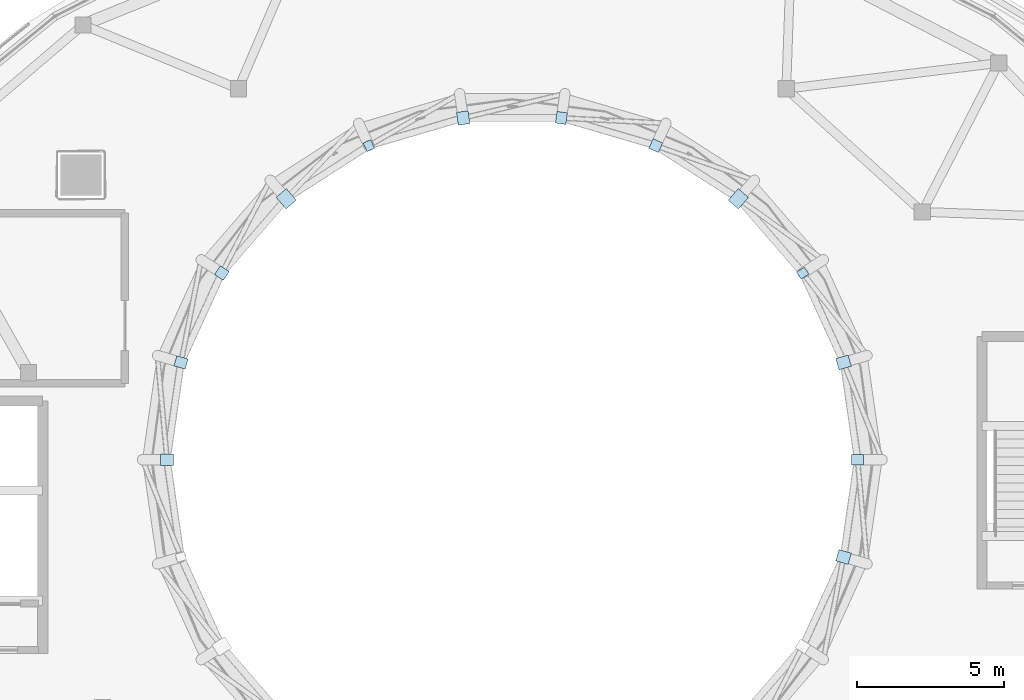
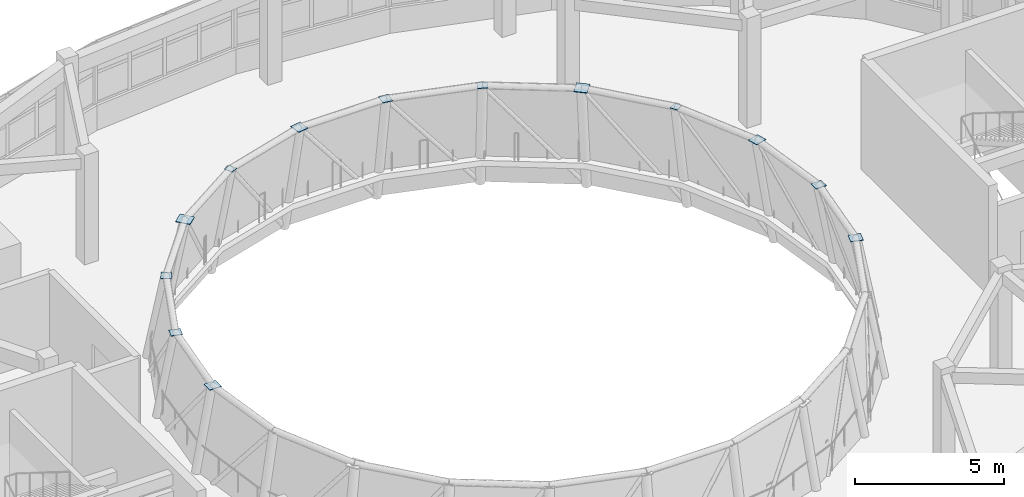
# One storey, part 33 of 46: 13 plates.
"""IFC4 building model written with IfcOpenShell, lengths in metres."""

from ifc_helpers import new_model, si_unit, direction, frame, origin, origin_2d, place, context, subcontext, project, spatial, rectangle, extrude, material, layer, layer_set, type_object, element, save


model = new_model("IFC4")

# Units and contexts
model_context = context("Model", 3, precision=1e-05, world=origin(), true_north=direction((0.0, 1.0)))
body_context = subcontext(model_context, "Body", "Model", "MODEL_VIEW")
ifc_project = project(units=[si_unit("LENGTHUNIT", "METRE"), si_unit("AREAUNIT", "SQUARE_METRE"), si_unit("VOLUMEUNIT", "CUBIC_METRE"), si_unit("PLANEANGLEUNIT", "RADIAN"), si_unit("MASSUNIT", "GRAM", prefix="KILO")], contexts=[model_context])

# Site, building, storey
site_placement = place(None, origin())
site = spatial("IfcSite", under=ifc_project, at=site_placement, CompositionType="ELEMENT")
building_placement = place(site_placement, origin())
building = spatial("IfcBuilding", under=site, at=building_placement, Name="Pelvatis Terrace Science Centre", CompositionType="ELEMENT")
storey_placement = place(building_placement, frame((0.0, 0.0, 19.800048828125)))
storey = spatial("IfcBuildingStorey", under=building, at=storey_placement, Name="L04", CompositionType="ELEMENT", Elevation=19.800048828125)

# Plates
ifc_material_1 = material(Name="Structural steel S355", Category="steel")
ifc_layer_1 = layer(ifc_material_1, 0.01611328125)
ifc_layer_set_1 = layer_set([ifc_layer_1], Name="Structural steel S355")
plate_type_1 = type_object("IfcPlateType", Name="PLT-GUS-320x280x16", PredefinedType="USERDEFINED", material=ifc_layer_set_1)
for number, where, z_axis, x_axis, name in (
    (1, (119.095703125, 92.15966796875, 3.307373046875), (0.0, 0.0, 1.0), (0.841227797435, 0.540680860418, 0.0), "Dome node gusset plate 2.03"),
    (2, (104.3134765625, 96.5, 3.307373046875), (0.0, 0.0, 1.0), (-0.415487175664, 0.909599036311, 0.0), "Dome node gusset plate 2.08"),
):
    element("IfcPlate", number, at=place(storey_placement, frame(where, z_axis=z_axis, x_axis=x_axis)), inside=storey, type_object=plate_type_1, Name=name, ObjectType="GUSSET", PredefinedType="USERDEFINED", context=body_context, shape_type="SweptSolid", body=[
        extrude(rectangle(XDim=0.320068359375, YDim=0.280029296875, at=origin_2d()), origin(), (0.0, 0.0, 1.0), 0.01611328125),
    ])
ifc_material_2 = material(Name="Structural steel S355", Category="steel")
ifc_layer_2 = layer(ifc_material_2, 0.02001953125)
ifc_layer_set_2 = layer_set([ifc_layer_2], Name="Structural steel S355")
plate_type_2 = type_object("IfcPlateType", Name="PLT-GUS-360x360x20", PredefinedType="USERDEFINED", material=ifc_layer_set_2)
for number, where, z_axis, x_axis, name in (
    (3, (114.086669921875, 96.5, 3.305419921875), (0.0, 0.0, 1.0), (0.415487175664, 0.909599036311, 0.0), "Dome node gusset plate 2.05"),
    (4, (99.30419921875, 92.15966796875, 3.305419921875), (0.0, 0.0, 1.0), (-0.841227797435, 0.540680860418, 0.0), "Dome node gusset plate 2.10"),
):
    element("IfcPlate", number, at=place(storey_placement, frame(where, z_axis=z_axis, x_axis=x_axis)), inside=storey, type_object=plate_type_2, Name=name, ObjectType="GUSSET", PredefinedType="USERDEFINED", context=body_context, shape_type="SweptSolid", body=[
        extrude(rectangle(XDim=0.360107421875, YDim=0.360107421875, at=origin_2d()), origin(), (0.0, 0.0, 1.0), 0.02001953125),
    ])
ifc_material_3 = material(Name="Structural steel S355", Category="steel")
ifc_layer_3 = layer(ifc_material_3, 0.02197265625)
ifc_layer_set_3 = layer_set([ifc_layer_3], Name="Structural steel S355")
plate_type_3 = type_object("IfcPlateType", Name="PLT-GUS-400x360x22", PredefinedType="USERDEFINED", material=ifc_layer_set_3)
for number, where, z_axis, x_axis, name in (
    (5, (120.963134765625, 85.800048828125, 3.304443359375), (0.0, 0.0, 1.0), (1.0, 0.0, 0.0), "Dome node gusset plate 2.01"),
    (6, (110.8740234375, 97.443359375, 3.304443359375), (0.0, 0.0, 1.0), (0.142283427941, 0.989825957496, 0.0), "Dome node gusset plate 2.06"),
    (7, (97.913330078125, 89.114013671875, 3.304443359375), (0.0, 0.0, 1.0), (-0.959510852267, 0.281671660596, 0.0), "Dome node gusset plate 2.11"),
):
    element("IfcPlate", number, at=place(storey_placement, frame(where, z_axis=z_axis, x_axis=x_axis)), inside=storey, type_object=plate_type_3, Name=name, ObjectType="GUSSET", PredefinedType="USERDEFINED", context=body_context, shape_type="SweptSolid", body=[
        extrude(rectangle(XDim=0.39990234375, YDim=0.360107421875, at=origin_2d()), origin(), (0.0, 0.0, 1.0), 0.02197265625),
    ])
ifc_material_4 = material(Name="Structural steel S355", Category="steel")
ifc_layer_4 = layer(ifc_material_4, 0.02392578125)
ifc_layer_set_4 = layer_set([ifc_layer_4], Name="Structural steel S355")
plate_type_4 = type_object("IfcPlateType", Name="PLT-GUS-440x400x24", PredefinedType="USERDEFINED", material=ifc_layer_set_4)
for number, where, z_axis, x_axis, name in (
    (8, (120.486572265625, 89.114013671875, 3.303466796875), (0.0, 0.0, 1.0), (0.959510852267, 0.281671660596, 0.0), "Dome node gusset plate 2.02"),
    (9, (107.52587890625, 97.443359375, 3.303466796875), (0.0, 0.0, 1.0), (-0.142283427941, 0.989825957496, 0.0), "Dome node gusset plate 2.07"),
    (10, (97.43701171875, 85.800048828125, 3.303466796875), (0.0, 0.0, 1.0), (-1.0, 0.0, 0.0), "Dome node gusset plate 2.12"),
    (11, (120.486572265625, 82.48583984375, 3.303466796875), (0.0, 0.0, 1.0), (0.959510852267, -0.281671660596, 0.0), "Dome node gusset plate 2.22"),
):
    element("IfcPlate", number, at=place(storey_placement, frame(where, z_axis=z_axis, x_axis=x_axis)), inside=storey, type_object=plate_type_4, Name=name, ObjectType="GUSSET", PredefinedType="USERDEFINED", context=body_context, shape_type="SweptSolid", body=[
        extrude(rectangle(XDim=0.43994140625, YDim=0.39990234375, at=origin_2d()), origin(), (0.0, 0.0, 1.0), 0.02392578125),
    ])
ifc_material_5 = material(Name="Structural steel S355", Category="steel")
ifc_layer_5 = layer(ifc_material_5, 0.028076171875)
ifc_layer_set_5 = layer_set([ifc_layer_5], Name="Structural steel S355")
plate_type_5 = type_object("IfcPlateType", Name="PLT-GUS-520x460x28", PredefinedType="USERDEFINED", material=ifc_layer_set_5)
for number, where, z_axis, x_axis, name in (
    (12, (116.9033203125, 94.68994140625, 3.30126953125), (0.0, 0.0, 1.0), (0.654872725061, 0.755739183826, 0.0), "Dome node gusset plate 2.04"),
    (13, (101.496826171875, 94.68994140625, 3.30126953125), (0.0, 0.0, 1.0), (-0.654872725061, 0.755739183826, 0.0), "Dome node gusset plate 2.09"),
):
    element("IfcPlate", number, at=place(storey_placement, frame(where, z_axis=z_axis, x_axis=x_axis)), inside=storey, type_object=plate_type_5, Name=name, ObjectType="GUSSET", PredefinedType="USERDEFINED", context=body_context, shape_type="SweptSolid", body=[
        extrude(rectangle(XDim=0.52001953125, YDim=0.4599609375, at=origin_2d()), origin(), (0.0, 0.0, 1.0), 0.028076171875),
    ])

save(model, "model.ifc")
